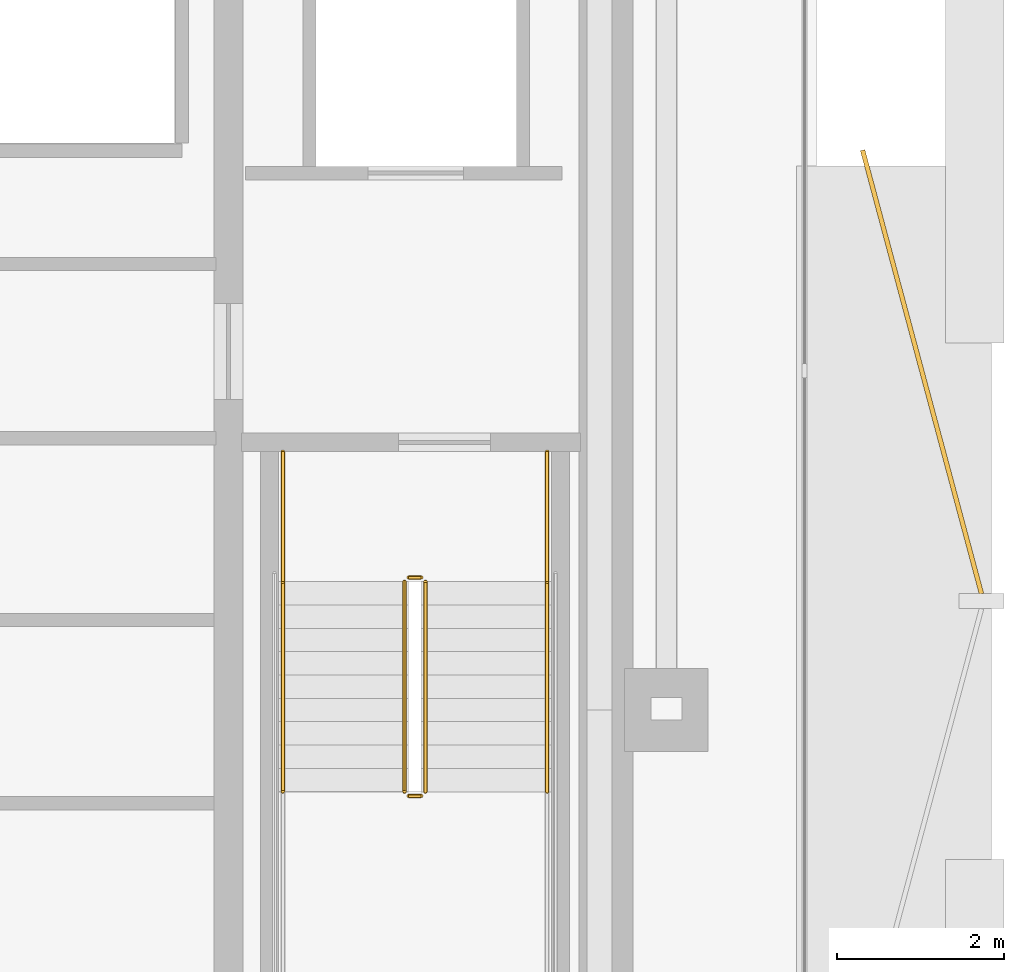
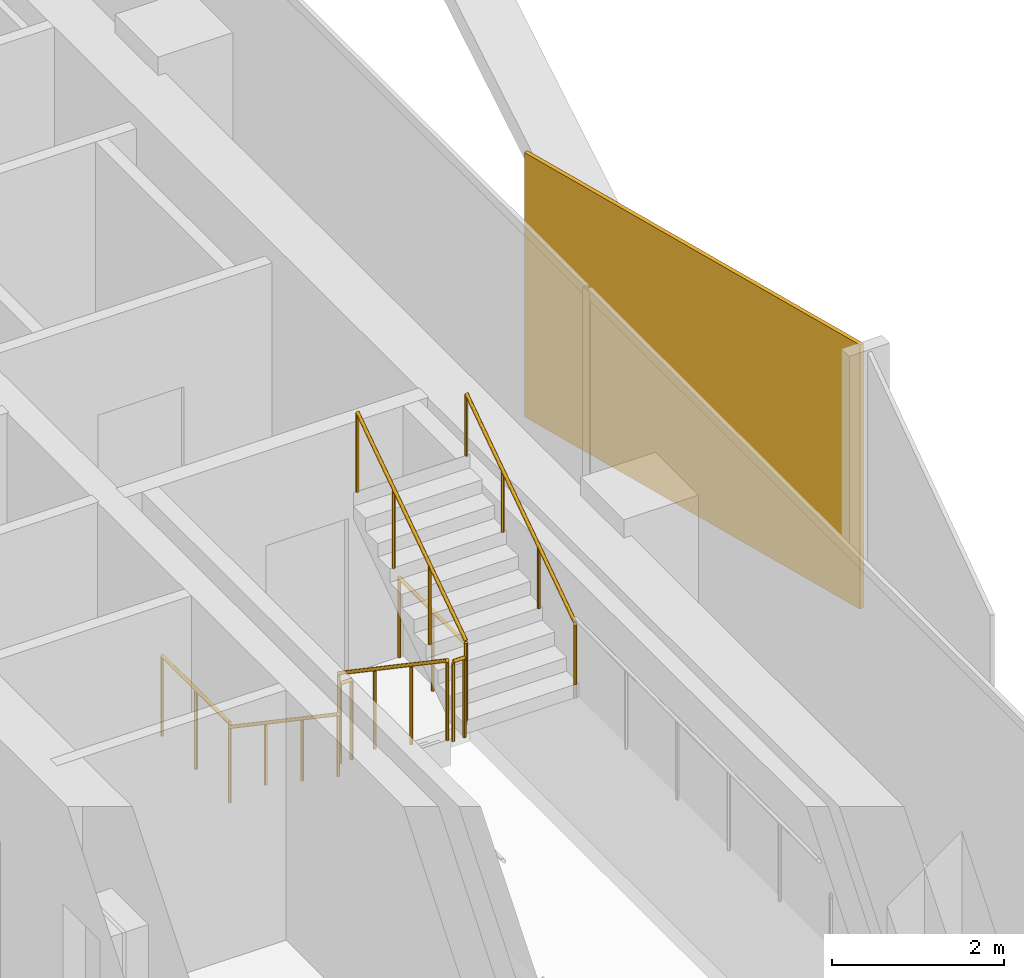
# One storey, part 15 of 17: 8 railings, 1 covering.
"""IFC4 building model written with IfcOpenShell, lengths in metres."""

from ifc_helpers import new_model, si_unit, direction, frame, origin, origin_2d, place, context, subcontext, project, spatial, rectangle, circle, extrude, material, layer, layer_set, type_object, element, save


model = new_model("IFC4")

# Units and contexts
model_context = context("Model", 3, precision=1e-05, world=origin(), true_north=direction((0.0, 1.0)))
body_context = subcontext(model_context, "Body", "Model", "MODEL_VIEW")
ifc_project = project(units=[si_unit("LENGTHUNIT", "METRE"), si_unit("AREAUNIT", "SQUARE_METRE"), si_unit("VOLUMEUNIT", "CUBIC_METRE"), si_unit("PLANEANGLEUNIT", "RADIAN"), si_unit("MASSUNIT", "GRAM", prefix="KILO")], contexts=[model_context])

# Site, building, storey
site_placement = place(None, origin())
site = spatial("IfcSite", under=ifc_project, at=site_placement, CompositionType="ELEMENT")
building_placement = place(site_placement, origin())
building = spatial("IfcBuilding", under=site, at=building_placement, Name="Khairoan Windgate Tower", CompositionType="ELEMENT")
storey_placement = place(building_placement, frame((0.0, 0.0, 168.800048828125)))
storey = spatial("IfcBuildingStorey", under=building, at=storey_placement, Name="L38", CompositionType="ELEMENT", Elevation=168.800048828125)

# Covering
ifc_material_1 = material(Name="Anodised Bronze Aluminium 6063-T6", Category="aluminium")
ifc_layer = layer(ifc_material_1, 0.054931640625, Name="Anodised Bronze Aluminium 6063-T6")
ifc_layer_set = layer_set([ifc_layer], Name="Anodised Bronze Aluminium 6063-T6")
covering_type = type_object("IfcCoveringType", Name="Perforated Bronze-Ceramic Folded Solar Screen Cladding BSC-1", PredefinedType="CLADDING", material=ifc_layer_set)
covering_placement = place(storey_placement, frame((23.8671875, -6.74560546875, -0.10009765625), z_axis=(0.0, 0.0, 1.0), x_axis=(0.258819045103, -0.965925826289, 0.0)))
element("IfcCovering", 1, at=covering_placement, inside=storey, type_object=covering_type, Name="L38 Folded Bronze Solar Screen Facet 248L", PredefinedType="CLADDING", context=body_context, shape_type="SweptSolid", body=[
    extrude(rectangle(XDim=5.507080078125, YDim=0.054931640625, at=origin_2d()), origin(), (0.0, 0.0, 1.0), 3.739990234375),
])

# Railings
ifc_material_2 = material(Name="Anodised Bronze Aluminium 6063-T6", Category="aluminium")
railing_type_1 = type_object("IfcRailingType", Name="Stair Wall Handrail SHR-900", PredefinedType="HANDRAIL", material=ifc_material_2)
railing_1_placement = place(storey_placement, frame((16.199951171875, -9.260009765625, 0.18994140625)))
element("IfcRailing", 2, at=railing_1_placement, inside=storey, type_object=railing_type_1, Name="L38 ST1 stair handrail 1", PredefinedType="HANDRAIL", context=body_context, shape_type="SweptSolid", body=[
    extrude(circle(Radius=0.02392578125, at=origin_2d()), frame((0.0, 0.0, 0.8759765625), z_axis=(0.0, -0.827483756001, 0.561489655786), x_axis=(1.0, 0.0, 0.0)), (0.0, 0.0, 1.0), 3.04541015625),
    extrude(circle(Radius=0.02099609375, at=origin_2d()), origin(), (0.0, 0.0, 1.0), 0.851806640625),
    extrude(circle(Radius=0.02099609375, at=origin_2d()), frame((0.0, -0.840087890625, 0.570068359375)), (0.0, 0.0, 1.0), 0.851806640625),
    extrude(circle(Radius=0.02099609375, at=origin_2d()), frame((0.0, -1.679931640625, 1.139892578125)), (0.0, 0.0, 1.0), 0.851806640625),
    extrude(circle(Radius=0.02099609375, at=origin_2d()), frame((0.0, -2.52001953125, 1.7099609375)), (0.0, 0.0, 1.0), 0.851806640625),
])
railing_2_placement = place(storey_placement, frame((19.3701171875, -11.780029296875, 2.08984375)))
element("IfcRailing", 3, at=railing_2_placement, inside=storey, type_object=railing_type_1, Name="L38 ST1 stair handrail 2", PredefinedType="HANDRAIL", context=body_context, shape_type="SweptSolid", body=[
    extrude(circle(Radius=0.02392578125, at=origin_2d()), frame((0.0, 0.0, 0.8759765625), z_axis=(0.0, 0.82744650838, 0.561544544778), x_axis=(-1.0, 0.0, 0.0)), (0.0, 0.0, 1.0), 3.045654296875),
    extrude(circle(Radius=0.02099609375, at=origin_2d()), origin(), (0.0, 0.0, 1.0), 0.851806640625),
    extrude(circle(Radius=0.02099609375, at=origin_2d()), frame((0.0, 0.840087890625, 0.570068359375)), (0.0, 0.0, 1.0), 0.851806640625),
    extrude(circle(Radius=0.02099609375, at=origin_2d()), frame((0.0, 1.679931640625, 1.14013671875)), (0.0, 0.0, 1.0), 0.851806640625),
    extrude(circle(Radius=0.02099609375, at=origin_2d()), frame((0.0, 2.52001953125, 1.710205078125)), (0.0, 0.0, 1.0), 0.851806640625),
])
ifc_material_3 = material(Name="Steel S355", Category="steel")
railing_type_2 = type_object("IfcRailingType", Name="Stairwell Safety Guardrail SGR-1150", PredefinedType="GUARDRAIL", material=ifc_material_3)
railing_3_placement = place(storey_placement, frame((17.659912109375, -9.260009765625, 0.18994140625)))
element("IfcRailing", 4, at=railing_3_placement, inside=storey, type_object=railing_type_2, Name="L38 ST1 stair guard 1", PredefinedType="GUARDRAIL", context=body_context, shape_type="SweptSolid", body=[
    extrude(circle(Radius=0.02392578125, at=origin_2d()), frame((0.0, 0.0, 1.1259765625), z_axis=(0.0, -0.827483756001, 0.561489655786), x_axis=(1.0, 0.0, 0.0)), (0.0, 0.0, 1.0), 3.04541015625),
    extrude(circle(Radius=0.02099609375, at=origin_2d()), origin(), (0.0, 0.0, 1.0), 1.101806640625),
    extrude(circle(Radius=0.02099609375, at=origin_2d()), frame((0.0, -0.840087890625, 0.570068359375)), (0.0, 0.0, 1.0), 1.101806640625),
    extrude(circle(Radius=0.02099609375, at=origin_2d()), frame((0.0, -1.679931640625, 1.139892578125)), (0.0, 0.0, 1.0), 1.101806640625),
    extrude(circle(Radius=0.02099609375, at=origin_2d()), frame((0.0, -2.52001953125, 1.7099609375)), (0.0, 0.0, 1.0), 1.101806640625),
])
railing_4_placement = place(storey_placement, frame((17.7099609375, -11.830078125, 1.89990234375)))
element("IfcRailing", 5, at=railing_4_placement, inside=storey, type_object=railing_type_2, Name="L38 ST1 stair guard 2", PredefinedType="GUARDRAIL", context=body_context, shape_type="SweptSolid", body=[
    extrude(circle(Radius=0.02392578125, at=origin_2d()), frame((0.0, 0.0, 1.1259765625), z_axis=(1.0, 0.0, 0.0), x_axis=(0.0, 1.0, 0.0)), (0.0, 0.0, 1.0), 0.150146484375),
    extrude(circle(Radius=0.02099609375, at=origin_2d()), origin(), (0.0, 0.0, 1.0), 1.101806640625),
    extrude(circle(Radius=0.02099609375, at=origin_2d()), frame((0.150146484375, 0.0, 0.0)), (0.0, 0.0, 1.0), 1.101806640625),
])
railing_5_placement = place(storey_placement, frame((17.909912109375, -11.780029296875, 2.08984375)))
element("IfcRailing", 6, at=railing_5_placement, inside=storey, type_object=railing_type_2, Name="L38 ST1 stair guard 6", PredefinedType="GUARDRAIL", context=body_context, shape_type="SweptSolid", body=[
    extrude(circle(Radius=0.02392578125, at=origin_2d()), frame((0.0, 0.0, 1.1259765625), z_axis=(0.0, 0.82744650838, 0.561544544778), x_axis=(-1.0, 0.0, 0.0)), (0.0, 0.0, 1.0), 3.045654296875),
    extrude(circle(Radius=0.02099609375, at=origin_2d()), origin(), (0.0, 0.0, 1.0), 1.101806640625),
    extrude(circle(Radius=0.02099609375, at=origin_2d()), frame((0.0, 0.840087890625, 0.570068359375)), (0.0, 0.0, 1.0), 1.101806640625),
    extrude(circle(Radius=0.02099609375, at=origin_2d()), frame((0.0, 1.679931640625, 1.14013671875)), (0.0, 0.0, 1.0), 1.101806640625),
    extrude(circle(Radius=0.02099609375, at=origin_2d()), frame((0.0, 2.52001953125, 1.710205078125)), (0.0, 0.0, 1.0), 1.101806640625),
])
railing_6_placement = place(storey_placement, frame((17.7099609375, -9.2099609375, 0.0)))
element("IfcRailing", 7, at=railing_6_placement, inside=storey, type_object=railing_type_2, Name="L38 ST1 stair guard 7", PredefinedType="GUARDRAIL", context=body_context, shape_type="SweptSolid", body=[
    extrude(circle(Radius=0.02392578125, at=origin_2d()), frame((0.0, 0.0, 1.1259765625), z_axis=(1.0, 0.0, 0.0), x_axis=(0.0, 1.0, 0.0)), (0.0, 0.0, 1.0), 0.150146484375),
    extrude(circle(Radius=0.02099609375, at=origin_2d()), origin(), (0.0, 0.0, 1.0), 1.101806640625),
    extrude(circle(Radius=0.02099609375, at=origin_2d()), frame((0.150146484375, 0.0, 0.0)), (0.0, 0.0, 1.0), 1.101806640625),
])
for number, where, name in (
    (8, (16.199951171875, -7.699951171875, 0.0), "L38 ST1 stair guard 8"),
    (9, (19.3701171875, -7.699951171875, 0.0), "L38 ST1 stair guard 9"),
):
    element("IfcRailing", number, at=place(storey_placement, frame(where)), inside=storey, type_object=railing_type_2, Name=name, PredefinedType="GUARDRAIL", context=body_context, shape_type="SweptSolid", body=[
        extrude(circle(Radius=0.02392578125, at=origin_2d()), frame((0.0, 0.0, 1.1259765625), z_axis=(0.0, -1.0, 0.0), x_axis=(1.0, 0.0, 0.0)), (0.0, 0.0, 1.0), 1.56005859375),
        extrude(circle(Radius=0.02099609375, at=origin_2d()), origin(), (0.0, 0.0, 1.0), 1.101806640625),
        extrude(circle(Radius=0.02099609375, at=origin_2d()), frame((0.0, -0.780029296875, 0.0)), (0.0, 0.0, 1.0), 1.101806640625),
        extrude(circle(Radius=0.02099609375, at=origin_2d()), frame((0.0, -1.56005859375, 0.0)), (0.0, 0.0, 1.0), 1.101806640625),
    ])

save(model, "model.ifc")
